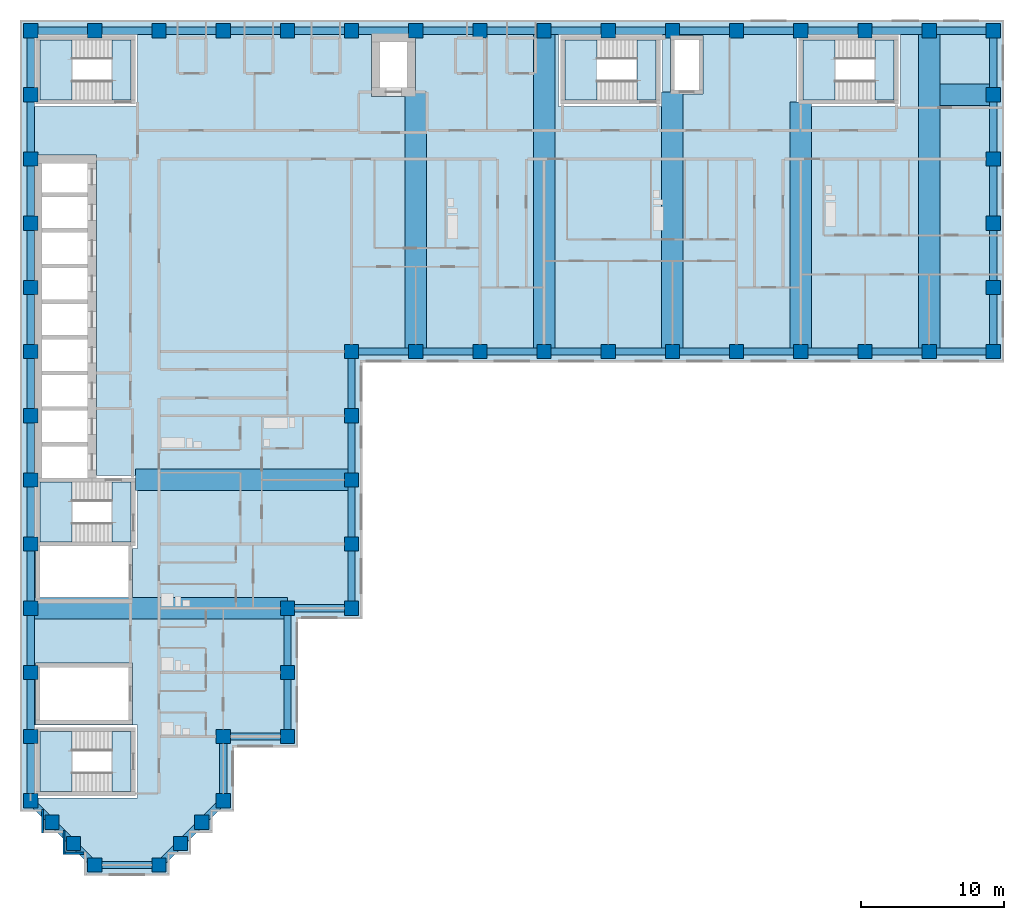
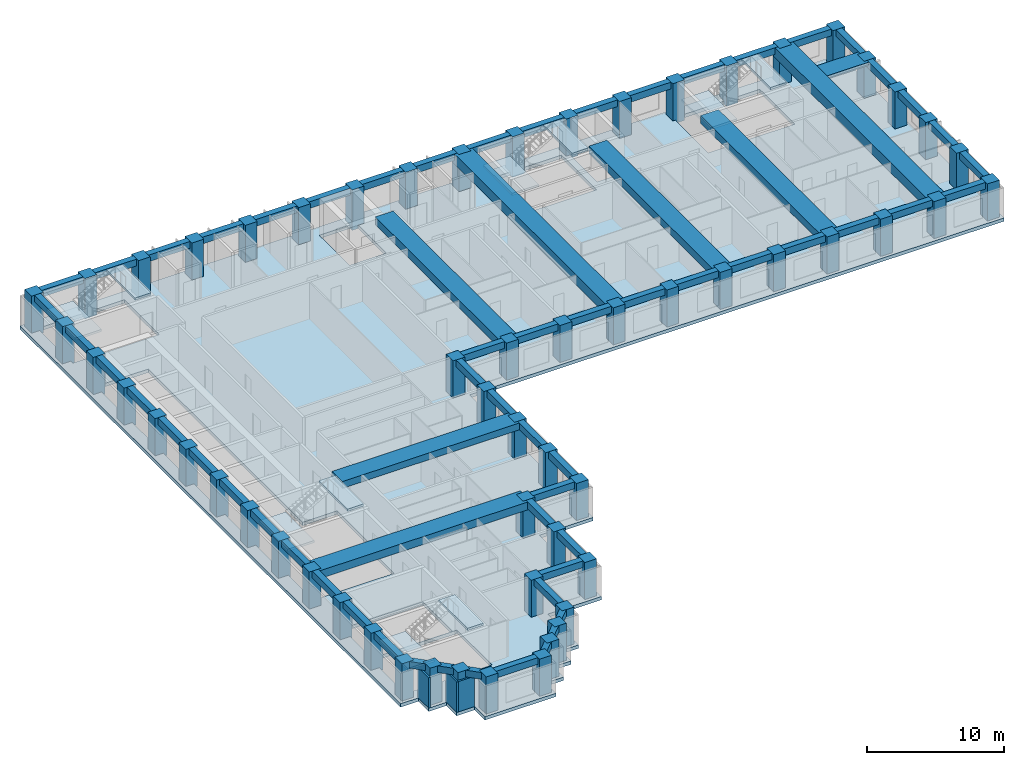
# One storey, part 1 of 12: 66 beams, 58 columns, 11 slabs, 3 walls, 5 elements without a shape of their own.
"""IFC4 building model written with IfcOpenShell, lengths in metres."""

from ifc_helpers import new_model, si_unit, direction, frame, frame_2d, origin, origin_2d, place, context, subcontext, project, spatial, polyline, rectangle, outline, extrude, material, layer, layer_set, material_profile, profile_set, type_object, element, aggregate, save


model = new_model("IFC4")

# Units and contexts
model_context = context("Model", 3, precision=1e-05, world=origin(), true_north=direction((0.0, 1.0)))
body_context = subcontext(model_context, "Body", "Model", "MODEL_VIEW")
ifc_project = project(units=[si_unit("LENGTHUNIT", "METRE"), si_unit("AREAUNIT", "SQUARE_METRE"), si_unit("VOLUMEUNIT", "CUBIC_METRE"), si_unit("PLANEANGLEUNIT", "RADIAN"), si_unit("MASSUNIT", "GRAM", prefix="KILO")], contexts=[model_context])

# Site, building, storey
site_placement = place(None, origin())
site = spatial("IfcSite", under=ifc_project, at=site_placement, CompositionType="ELEMENT")
building_placement = place(site_placement, origin())
building = spatial("IfcBuilding", under=site, at=building_placement, Name="Firuza Court", CompositionType="ELEMENT")
storey_placement = place(building_placement, frame((0.0, 0.0, 152.0)))
storey = spatial("IfcBuildingStorey", under=building, at=storey_placement, Name="L38", CompositionType="ELEMENT", Elevation=152.0)

# Columns
ifc_material_1 = material(Name="Concrete C60/75", Category="concrete")
ifc_material_profile_1 = material_profile(ifc_material_1, rectangle(XDim=1.0, YDim=1.0, at=origin_2d()), Name="RC 1000x1000")
ifc_profile_set_1 = profile_set([ifc_material_profile_1], Name="Concrete C60/75")
column_type = type_object("IfcColumnType", Name="Tube column RC 1000x1000 C60/75", PredefinedType="COLUMN", material=ifc_profile_set_1)
for number, where, z_axis, x_axis, name in (
    (1, (4.5, 0.0, -0.300048828125), (0.0, 0.0, 1.0), (1.0, 0.0, 0.0), "Column C-2D L38"),
    (2, (9.0, 0.0, -0.300048828125), (0.0, 0.0, 1.0), (1.0, 0.0, 0.0), "Column C-3D L38"),
    (3, (3.0, 1.5, -0.300048828125), (0.0, 0.0, 1.0), (1.0, 0.0, 0.0), "Column C-SA1 L38"),
    (4, (10.5, 1.5, -0.300048828125), (0.0, 0.0, 1.0), (1.0, 0.0, 0.0), "Column C-SA2 L38"),
    (5, (1.5, 3.0, -0.300048828125), (0.0, 0.0, 1.0), (1.0, 0.0, 0.0), "Column C-SA3 L38"),
    (6, (12.0, 3.0, -0.300048828125), (0.0, 0.0, 1.0), (1.0, 0.0, 0.0), "Column C-SA4 L38"),
    (7, (0.0, 4.5, -0.300048828125), (0.0, 0.0, 1.0), (1.0, 0.0, 0.0), "Column C-1E L38"),
    (8, (13.5, 4.5, -0.300048828125), (0.0, 0.0, 1.0), (1.0, 0.0, 0.0), "Column C-4E L38"),
    (9, (0.0, 9.0, -0.300048828125), (0.0, 0.0, 1.0), (1.0, 0.0, 0.0), "Column C-1F L38"),
    (10, (13.5, 9.0, -0.300048828125), (0.0, 0.0, 1.0), (1.0, 0.0, 0.0), "Column C-4F L38"),
    (11, (18.0, 9.0, -0.300048828125), (0.0, 0.0, 1.0), (1.0, 0.0, 0.0), "Column C-5F L38"),
    (12, (0.0, 13.5, -0.300048828125), (0.0, 0.0, 1.0), (1.0, 0.0, 0.0), "Column C-1G L38"),
    (13, (18.0, 13.5, -0.300048828125), (0.0, 0.0, 1.0), (1.0, 0.0, 0.0), "Column C-5G L38"),
    (14, (0.0, 18.0, -0.300048828125), (0.0, 0.0, 1.0), (1.0, 0.0, 0.0), "Column C-1H L38"),
    (15, (18.0, 18.0, -0.300048828125), (0.0, 0.0, 1.0), (1.0, 0.0, 0.0), "Column C-5H L38"),
    (16, (22.5, 18.0, -0.300048828125), (0.0, 0.0, 1.0), (1.0, 0.0, 0.0), "Column C-6H L38"),
    (17, (0.0, 22.5, -0.300048828125), (0.0, 0.0, 1.0), (1.0, 0.0, 0.0), "Column C-1J L38"),
    (18, (22.5, 22.5, -0.300048828125), (0.0, 0.0, 1.0), (1.0, 0.0, 0.0), "Column C-6J L38"),
    (19, (0.0, 27.0, -0.300048828125), (0.0, 0.0, 1.0), (1.0, 0.0, 0.0), "Column C-1K L38"),
    (20, (22.5, 27.0, -0.300048828125), (0.0, 0.0, 1.0), (1.0, 0.0, 0.0), "Column C-6K L38"),
    (21, (0.0, 31.5, -0.300048828125), (0.0, 0.0, 1.0), (1.0, 0.0, 0.0), "Column C-1L L38"),
    (22, (22.5, 31.5, -0.300048828125), (0.0, 0.0, 1.0), (1.0, 0.0, 0.0), "Column C-6L L38"),
    (23, (0.0, 36.0, -0.300048828125), (0.0, 0.0, 1.0), (1.0, 0.0, 0.0), "Column C-1M L38"),
    (24, (22.5, 36.0, -0.300048828125), (0.0, 0.0, 1.0), (1.0, 0.0, 0.0), "Column C-6M L38"),
    (25, (27.0, 36.0, -0.300048828125), (0.0, 0.0, 1.0), (1.0, 0.0, 0.0), "Column C-7M L38"),
    (26, (31.5, 36.0, -0.300048828125), (0.0, 0.0, 1.0), (1.0, 0.0, 0.0), "Column C-8M L38"),
    (27, (36.0, 36.0, -0.300048828125), (0.0, 0.0, 1.0), (1.0, 0.0, 0.0), "Column C-9M L38"),
    (28, (40.5, 36.0, -0.300048828125), (0.0, 0.0, 1.0), (1.0, 0.0, 0.0), "Column C-10M L38"),
    (29, (45.0, 36.0, -0.300048828125), (0.0, 0.0, 1.0), (1.0, 0.0, 0.0), "Column C-11M L38"),
    (30, (49.5, 36.0, -0.300048828125), (0.0, 0.0, 1.0), (1.0, 0.0, 0.0), "Column C-12M L38"),
    (31, (54.0, 36.0, -0.300048828125), (0.0, 0.0, 1.0), (1.0, 0.0, 0.0), "Column C-13M L38"),
    (32, (58.5, 36.0, -0.300048828125), (0.0, 0.0, 1.0), (1.0, 0.0, 0.0), "Column C-14M L38"),
    (33, (63.0, 36.0, -0.300048828125), (0.0, 0.0, 1.0), (1.0, 0.0, 0.0), "Column C-15M L38"),
    (34, (67.5, 36.0, -0.300048828125), (0.0, 0.0, 1.0), (1.0, 0.0, 0.0), "Column C-16M L38"),
    (35, (0.0, 40.5, -0.300048828125), (0.0, 0.0, 1.0), (1.0, 0.0, 0.0), "Column C-1N L38"),
    (36, (67.5, 40.5, -0.300048828125), (0.0, 0.0, 1.0), (1.0, 0.0, 0.0), "Column C-16N L38"),
    (37, (0.0, 45.0, -0.300048828125), (0.0, 0.0, 1.0), (1.0, 0.0, 0.0), "Column C-1P L38"),
    (38, (67.5, 45.0, -0.300048828125), (0.0, 0.0, 1.0), (1.0, 0.0, 0.0), "Column C-16P L38"),
    (39, (0.0, 49.5, -0.300048828125), (0.0, 0.0, 1.0), (1.0, 0.0, 0.0), "Column C-1Q L38"),
    (40, (67.5, 49.5, -0.300048828125), (0.0, 0.0, 1.0), (1.0, 0.0, 0.0), "Column C-16Q L38"),
    (41, (0.0, 54.0, -0.300048828125), (0.0, 0.0, 1.0), (1.0, 0.0, 0.0), "Column C-1R L38"),
    (42, (67.5, 54.0, -0.300048828125), (0.0, 0.0, 1.0), (1.0, 0.0, 0.0), "Column C-16R L38"),
    (43, (0.0, 58.5, -0.300048828125), (0.0, 0.0, 1.0), (1.0, 0.0, 0.0), "Column C-1S L38"),
    (44, (4.5, 58.5, -0.300048828125), (0.0, 0.0, 1.0), (1.0, 0.0, 0.0), "Column C-2S L38"),
    (45, (9.0, 58.5, -0.300048828125), (0.0, 0.0, 1.0), (1.0, 0.0, 0.0), "Column C-3S L38"),
    (46, (13.5, 58.5, -0.300048828125), (0.0, 0.0, 1.0), (1.0, 0.0, 0.0), "Column C-4S L38"),
    (47, (18.0, 58.5, -0.300048828125), (0.0, 0.0, 1.0), (1.0, 0.0, 0.0), "Column C-5S L38"),
    (48, (22.5, 58.5, -0.300048828125), (0.0, 0.0, 1.0), (1.0, 0.0, 0.0), "Column C-6S L38"),
    (49, (27.0, 58.5, -0.300048828125), (0.0, 0.0, 1.0), (1.0, 0.0, 0.0), "Column C-7S L38"),
    (50, (31.5, 58.5, -0.300048828125), (0.0, 0.0, 1.0), (1.0, 0.0, 0.0), "Column C-8S L38"),
    (51, (36.0, 58.5, -0.300048828125), (0.0, 0.0, 1.0), (1.0, 0.0, 0.0), "Column C-9S L38"),
    (52, (40.5, 58.5, -0.300048828125), (0.0, 0.0, 1.0), (1.0, 0.0, 0.0), "Column C-10S L38"),
    (53, (45.0, 58.5, -0.300048828125), (0.0, 0.0, 1.0), (1.0, 0.0, 0.0), "Column C-11S L38"),
    (54, (49.5, 58.5, -0.300048828125), (0.0, 0.0, 1.0), (1.0, 0.0, 0.0), "Column C-12S L38"),
    (55, (54.0, 58.5, -0.300048828125), (0.0, 0.0, 1.0), (1.0, 0.0, 0.0), "Column C-13S L38"),
    (56, (58.5, 58.5, -0.300048828125), (0.0, 0.0, 1.0), (1.0, 0.0, 0.0), "Column C-14S L38"),
    (57, (63.0, 58.5, -0.300048828125), (0.0, 0.0, 1.0), (1.0, 0.0, 0.0), "Column C-15S L38"),
    (58, (67.5, 58.5, -0.300048828125), (0.0, 0.0, 1.0), (1.0, 0.0, 0.0), "Column C-16S L38"),
):
    element("IfcColumn", number, at=place(storey_placement, frame(where, z_axis=z_axis, x_axis=x_axis)), inside=storey, type_object=column_type, Name=name, PredefinedType="COLUMN", context=body_context, shape_type="SweptSolid", body=[
        extrude(rectangle(XDim=1.0, YDim=1.0, at=origin_2d()), origin(), (0.0, 0.0, 1.0), 3.60009765625),
    ])

# Beams
ifc_material_2 = material(Name="Concrete C40/50", Category="concrete")
ifc_material_profile_2 = material_profile(ifc_material_2, rectangle(XDim=1.5, YDim=0.300048828125, at=origin_2d()), Name="RC 1500x300")
ifc_profile_set_2 = profile_set([ifc_material_profile_2], Name="Concrete C40/50")
beam_type_1 = type_object("IfcBeamType", Name="Band beam RC 1500x300 C40/50", PredefinedType="BEAM", material=ifc_profile_set_2)
beam_1_placement = place(storey_placement, frame((67.5, 54.0, 3.14990234375), z_axis=(-1.0, 0.0, 0.0), x_axis=(0.0, -1.0, 0.0)))
element("IfcBeam", 59, at=beam_1_placement, inside=storey, type_object=beam_type_1, Name="Band beam FB6 level L39", PredefinedType="BEAM", context=body_context, shape_type="SweptSolid", body=[
    extrude(rectangle(XDim=1.5, YDim=0.300048828125, at=origin_2d()), origin(), (0.0, 0.0, 1.0), 3.75),
])
ifc_material_3 = material(Name="Concrete C40/50", Category="concrete")
ifc_material_profile_3 = material_profile(ifc_material_3, rectangle(XDim=1.5, YDim=0.60009765625, at=origin_2d()), Name="RC 1500x600")
ifc_profile_set_3 = profile_set([ifc_material_profile_3], Name="Concrete C40/50")
beam_type_2 = type_object("IfcBeamType", Name="Band beam RC 1500x600 C40/50", PredefinedType="BEAM", material=ifc_profile_set_3)
beam_2_placement = place(storey_placement, frame((22.5, 27.0, 3.0), z_axis=(-1.0, 0.0, 0.0), x_axis=(0.0, -1.0, 0.0)))
element("IfcBeam", 60, at=beam_2_placement, inside=storey, type_object=beam_type_2, Name="Band beam FB3 level L39", PredefinedType="BEAM", context=body_context, shape_type="SweptSolid", body=[
    extrude(rectangle(XDim=1.5, YDim=0.60009765625, at=origin_2d()), origin(), (0.0, 0.0, 1.0), 15.14990234375),
])
ifc_material_4 = material(Name="Concrete C40/50", Category="concrete")
ifc_material_profile_4 = material_profile(ifc_material_4, rectangle(XDim=1.5, YDim=0.699951171875, at=origin_2d()), Name="RC 1500x700")
ifc_profile_set_4 = profile_set([ifc_material_profile_4], Name="Concrete C40/50")
beam_type_3 = type_object("IfcBeamType", Name="Band beam RC 1500x700 C40/50", PredefinedType="BEAM", material=ifc_profile_set_4)
beam_3_placement = place(storey_placement, frame((0.0, 18.0, 2.949951171875), z_axis=(1.0, 0.0, 0.0), x_axis=(0.0, 1.0, 0.0)))
element("IfcBeam", 61, at=beam_3_placement, inside=storey, type_object=beam_type_3, Name="Band beam FB1 level L39", PredefinedType="BEAM", context=body_context, shape_type="SweptSolid", body=[
    extrude(rectangle(XDim=1.5, YDim=0.699951171875, at=origin_2d()), origin(), (0.0, 0.0, 1.0), 18.0),
])
for number, where, z_axis, x_axis, name in (
    (62, (27.0, 36.0, 2.949951171875), (0.0, 1.0, 0.0), (-1.0, 0.0, 0.0), "Band beam FB1 level L39"),
    (63, (45.0, 36.0, 2.949951171875), (0.0, 1.0, 0.0), (-1.0, 0.0, 0.0), "Band beam FB1 level L39"),
):
    element("IfcBeam", number, at=place(storey_placement, frame(where, z_axis=z_axis, x_axis=x_axis)), inside=storey, type_object=beam_type_3, Name=name, PredefinedType="BEAM", context=body_context, shape_type="SweptSolid", body=[
        extrude(rectangle(XDim=1.5, YDim=0.699951171875, at=origin_2d()), origin(), (0.0, 0.0, 1.0), 18.199951171875),
    ])
beam_4_placement = place(storey_placement, frame((54.0, 36.0, 2.949951171875), z_axis=(0.0, 1.0, 0.0), x_axis=(-1.0, 0.0, 0.0)))
element("IfcBeam", 64, at=beam_4_placement, inside=storey, type_object=beam_type_3, Name="Band beam FB1 level L39", PredefinedType="BEAM", context=body_context, shape_type="SweptSolid", body=[
    extrude(rectangle(XDim=1.5, YDim=0.699951171875, at=origin_2d()), origin(), (0.0, 0.0, 1.0), 17.5),
])
ifc_material_5 = material(Name="Concrete C40/50", Category="concrete")
ifc_material_profile_5 = material_profile(ifc_material_5, rectangle(XDim=1.5, YDim=0.89990234375, at=origin_2d()), Name="RC 1500x900")
ifc_profile_set_5 = profile_set([ifc_material_profile_5], Name="Concrete C40/50")
beam_type_4 = type_object("IfcBeamType", Name="Band beam RC 1500x900 C40/50", PredefinedType="BEAM", material=ifc_profile_set_5)
for number, where, z_axis, x_axis, name in (
    (65, (36.0, 36.0, 2.85009765625), (0.0, 1.0, 0.0), (-1.0, 0.0, 0.0), "Band beam FB2 level L39"),
    (66, (63.0, 36.0, 2.85009765625), (0.0, 1.0, 0.0), (-1.0, 0.0, 0.0), "Band beam FB2 level L39"),
):
    element("IfcBeam", number, at=place(storey_placement, frame(where, z_axis=z_axis, x_axis=x_axis)), inside=storey, type_object=beam_type_4, Name=name, PredefinedType="BEAM", context=body_context, shape_type="SweptSolid", body=[
        extrude(rectangle(XDim=1.5, YDim=0.89990234375, at=origin_2d()), origin(), (0.0, 0.0, 1.0), 22.5),
    ])
ifc_material_6 = material(Name="Concrete C40/50", Category="concrete")
ifc_material_profile_6 = material_profile(ifc_material_6, rectangle(XDim=0.5, YDim=0.60009765625, at=origin_2d()), Name="RC 500x600")
ifc_profile_set_6 = profile_set([ifc_material_profile_6], Name="Concrete C40/50")
beam_type_5 = type_object("IfcBeamType", Name="Spandrel beam RC 500x600 C40/50", PredefinedType="BEAM", material=ifc_profile_set_6)
beam_5_placement = place(storey_placement, frame((0.0, 4.5, 3.0), z_axis=(0.707106781187, -0.707106781187, 0.0), x_axis=(0.707106781187, 0.707106781187, 0.0)))
element("IfcBeam", 67, at=beam_5_placement, inside=storey, type_object=beam_type_5, Name="Spandrel beam SP13 level L39", PredefinedType="BEAM", context=body_context, shape_type="SweptSolid", body=[
    extrude(rectangle(XDim=0.5, YDim=0.60009765625, at=origin_2d()), origin(), (0.0, 0.0, 1.0), 2.121337890625),
])
for number, where, z_axis, x_axis, name in (
    (68, (0.0, 9.0, 3.0), (0.0, -1.0, 0.0), (1.0, 0.0, 0.0), "Spandrel beam SP13 level L39"),
    (69, (0.0, 13.5, 3.0), (0.0, -1.0, 0.0), (1.0, 0.0, 0.0), "Spandrel beam SP13 level L39"),
    (70, (0.0, 18.0, 3.0), (0.0, -1.0, 0.0), (1.0, 0.0, 0.0), "Spandrel beam SP13 level L39"),
    (71, (0.0, 22.5, 3.0), (0.0, -1.0, 0.0), (1.0, 0.0, 0.0), "Spandrel beam SP13 level L39"),
    (72, (0.0, 27.0, 3.0), (0.0, -1.0, 0.0), (1.0, 0.0, 0.0), "Spandrel beam SP13 level L39"),
    (73, (0.0, 31.5, 3.0), (0.0, -1.0, 0.0), (1.0, 0.0, 0.0), "Spandrel beam SP13 level L39"),
    (74, (0.0, 36.0, 3.0), (0.0, -1.0, 0.0), (1.0, 0.0, 0.0), "Spandrel beam SP13 level L39"),
    (75, (0.0, 40.5, 3.0), (0.0, -1.0, 0.0), (1.0, 0.0, 0.0), "Spandrel beam SP13 level L39"),
    (76, (0.0, 45.0, 3.0), (0.0, -1.0, 0.0), (1.0, 0.0, 0.0), "Spandrel beam SP13 level L39"),
    (77, (0.0, 49.5, 3.0), (0.0, -1.0, 0.0), (1.0, 0.0, 0.0), "Spandrel beam SP13 level L39"),
    (78, (0.0, 54.0, 3.0), (0.0, -1.0, 0.0), (1.0, 0.0, 0.0), "Spandrel beam SP13 level L39"),
    (79, (0.0, 58.5, 3.0), (0.0, -1.0, 0.0), (1.0, 0.0, 0.0), "Spandrel beam SP13 level L39"),
):
    element("IfcBeam", number, at=place(storey_placement, frame(where, z_axis=z_axis, x_axis=x_axis)), inside=storey, type_object=beam_type_5, Name=name, PredefinedType="BEAM", context=body_context, shape_type="SweptSolid", body=[
        extrude(rectangle(XDim=0.5, YDim=0.60009765625, at=origin_2d()), origin(), (0.0, 0.0, 1.0), 4.5),
    ])
for number, where, z_axis, x_axis, name in (
    (80, (1.5, 3.0, 3.0), (0.707106781187, -0.707106781187, 0.0), (0.707106781187, 0.707106781187, 0.0), "Spandrel beam SP13 level L39"),
    (81, (3.0, 1.5, 3.0), (0.707106781187, -0.707106781187, 0.0), (0.707106781187, 0.707106781187, 0.0), "Spandrel beam SP13 level L39"),
):
    element("IfcBeam", number, at=place(storey_placement, frame(where, z_axis=z_axis, x_axis=x_axis)), inside=storey, type_object=beam_type_5, Name=name, PredefinedType="BEAM", context=body_context, shape_type="SweptSolid", body=[
        extrude(rectangle(XDim=0.5, YDim=0.60009765625, at=origin_2d()), origin(), (0.0, 0.0, 1.0), 2.121337890625),
    ])
for number, where, z_axis, x_axis, name in (
    (82, (4.5, 0.0, 3.0), (1.0, 0.0, 0.0), (0.0, 1.0, 0.0), "Spandrel beam SP13 level L39"),
    (83, (4.5, 58.5, 3.0), (-1.0, 0.0, 0.0), (0.0, -1.0, 0.0), "Spandrel beam SP13 level L39"),
):
    element("IfcBeam", number, at=place(storey_placement, frame(where, z_axis=z_axis, x_axis=x_axis)), inside=storey, type_object=beam_type_5, Name=name, PredefinedType="BEAM", context=body_context, shape_type="SweptSolid", body=[
        extrude(rectangle(XDim=0.5, YDim=0.60009765625, at=origin_2d()), origin(), (0.0, 0.0, 1.0), 4.5),
    ])
beam_6_placement = place(storey_placement, frame((9.0, 0.0, 3.0), z_axis=(0.707106781187, 0.707106781187, 0.0), x_axis=(-0.707106781187, 0.707106781187, 0.0)))
element("IfcBeam", 84, at=beam_6_placement, inside=storey, type_object=beam_type_5, Name="Spandrel beam SP13 level L39", PredefinedType="BEAM", context=body_context, shape_type="SweptSolid", body=[
    extrude(rectangle(XDim=0.5, YDim=0.60009765625, at=origin_2d()), origin(), (0.0, 0.0, 1.0), 2.121337890625),
])
beam_7_placement = place(storey_placement, frame((9.0, 58.5, 3.0), z_axis=(-1.0, 0.0, 0.0), x_axis=(0.0, -1.0, 0.0)))
element("IfcBeam", 85, at=beam_7_placement, inside=storey, type_object=beam_type_5, Name="Spandrel beam SP13 level L39", PredefinedType="BEAM", context=body_context, shape_type="SweptSolid", body=[
    extrude(rectangle(XDim=0.5, YDim=0.60009765625, at=origin_2d()), origin(), (0.0, 0.0, 1.0), 4.5),
])
for number, where, z_axis, x_axis, name in (
    (86, (10.5, 1.5, 3.0), (0.707106781187, 0.707106781187, 0.0), (-0.707106781187, 0.707106781187, 0.0), "Spandrel beam SP13 level L39"),
    (87, (12.0, 3.0, 3.0), (0.707106781187, 0.707106781187, 0.0), (-0.707106781187, 0.707106781187, 0.0), "Spandrel beam SP13 level L39"),
):
    element("IfcBeam", number, at=place(storey_placement, frame(where, z_axis=z_axis, x_axis=x_axis)), inside=storey, type_object=beam_type_5, Name=name, PredefinedType="BEAM", context=body_context, shape_type="SweptSolid", body=[
        extrude(rectangle(XDim=0.5, YDim=0.60009765625, at=origin_2d()), origin(), (0.0, 0.0, 1.0), 2.121337890625),
    ])
for number, where, z_axis, x_axis, name in (
    (88, (13.5, 4.5, 3.0), (0.0, 1.0, 0.0), (-1.0, 0.0, 0.0), "Spandrel beam SP13 level L39"),
    (89, (13.5, 9.0, 3.0), (1.0, 0.0, 0.0), (0.0, 1.0, 0.0), "Spandrel beam SP13 level L39"),
    (90, (13.5, 58.5, 3.0), (-1.0, 0.0, 0.0), (0.0, -1.0, 0.0), "Spandrel beam SP13 level L39"),
    (91, (18.0, 9.0, 3.0), (0.0, 1.0, 0.0), (-1.0, 0.0, 0.0), "Spandrel beam SP13 level L39"),
    (92, (18.0, 13.5, 3.0), (0.0, 1.0, 0.0), (-1.0, 0.0, 0.0), "Spandrel beam SP13 level L39"),
    (93, (18.0, 18.0, 3.0), (1.0, 0.0, 0.0), (0.0, 1.0, 0.0), "Spandrel beam SP13 level L39"),
    (94, (18.0, 58.5, 3.0), (-1.0, 0.0, 0.0), (0.0, -1.0, 0.0), "Spandrel beam SP13 level L39"),
    (95, (22.5, 18.0, 3.0), (0.0, 1.0, 0.0), (-1.0, 0.0, 0.0), "Spandrel beam SP13 level L39"),
    (96, (22.5, 22.5, 3.0), (0.0, 1.0, 0.0), (-1.0, 0.0, 0.0), "Spandrel beam SP13 level L39"),
    (97, (22.5, 27.0, 3.0), (0.0, 1.0, 0.0), (-1.0, 0.0, 0.0), "Spandrel beam SP13 level L39"),
    (98, (22.5, 31.5, 3.0), (0.0, 1.0, 0.0), (-1.0, 0.0, 0.0), "Spandrel beam SP13 level L39"),
    (99, (22.5, 36.0, 3.0), (1.0, 0.0, 0.0), (0.0, 1.0, 0.0), "Spandrel beam SP13 level L39"),
    (100, (22.5, 58.5, 3.0), (-1.0, 0.0, 0.0), (0.0, -1.0, 0.0), "Spandrel beam SP13 level L39"),
    (101, (27.0, 36.0, 3.0), (1.0, 0.0, 0.0), (0.0, 1.0, 0.0), "Spandrel beam SP13 level L39"),
    (102, (27.0, 58.5, 3.0), (-1.0, 0.0, 0.0), (0.0, -1.0, 0.0), "Spandrel beam SP13 level L39"),
    (103, (31.5, 36.0, 3.0), (1.0, 0.0, 0.0), (0.0, 1.0, 0.0), "Spandrel beam SP13 level L39"),
    (104, (31.5, 58.5, 3.0), (-1.0, 0.0, 0.0), (0.0, -1.0, 0.0), "Spandrel beam SP13 level L39"),
    (105, (36.0, 36.0, 3.0), (1.0, 0.0, 0.0), (0.0, 1.0, 0.0), "Spandrel beam SP13 level L39"),
    (106, (36.0, 58.5, 3.0), (-1.0, 0.0, 0.0), (0.0, -1.0, 0.0), "Spandrel beam SP13 level L39"),
    (107, (40.5, 36.0, 3.0), (1.0, 0.0, 0.0), (0.0, 1.0, 0.0), "Spandrel beam SP13 level L39"),
    (108, (40.5, 58.5, 3.0), (-1.0, 0.0, 0.0), (0.0, -1.0, 0.0), "Spandrel beam SP13 level L39"),
    (109, (45.0, 36.0, 3.0), (1.0, 0.0, 0.0), (0.0, 1.0, 0.0), "Spandrel beam SP13 level L39"),
    (110, (45.0, 58.5, 3.0), (-1.0, 0.0, 0.0), (0.0, -1.0, 0.0), "Spandrel beam SP13 level L39"),
    (111, (49.5, 36.0, 3.0), (1.0, 0.0, 0.0), (0.0, 1.0, 0.0), "Spandrel beam SP13 level L39"),
    (112, (49.5, 58.5, 3.0), (-1.0, 0.0, 0.0), (0.0, -1.0, 0.0), "Spandrel beam SP13 level L39"),
    (113, (54.0, 36.0, 3.0), (1.0, 0.0, 0.0), (0.0, 1.0, 0.0), "Spandrel beam SP13 level L39"),
    (114, (54.0, 58.5, 3.0), (-1.0, 0.0, 0.0), (0.0, -1.0, 0.0), "Spandrel beam SP13 level L39"),
    (115, (58.5, 36.0, 3.0), (1.0, 0.0, 0.0), (0.0, 1.0, 0.0), "Spandrel beam SP13 level L39"),
    (116, (58.5, 58.5, 3.0), (-1.0, 0.0, 0.0), (0.0, -1.0, 0.0), "Spandrel beam SP13 level L39"),
    (117, (63.0, 36.0, 3.0), (1.0, 0.0, 0.0), (0.0, 1.0, 0.0), "Spandrel beam SP13 level L39"),
    (118, (63.0, 58.5, 3.0), (-1.0, 0.0, 0.0), (0.0, -1.0, 0.0), "Spandrel beam SP13 level L39"),
    (119, (67.5, 36.0, 3.0), (0.0, 1.0, 0.0), (-1.0, 0.0, 0.0), "Spandrel beam SP13 level L39"),
    (120, (67.5, 40.5, 3.0), (0.0, 1.0, 0.0), (-1.0, 0.0, 0.0), "Spandrel beam SP13 level L39"),
    (121, (67.5, 45.0, 3.0), (0.0, 1.0, 0.0), (-1.0, 0.0, 0.0), "Spandrel beam SP13 level L39"),
    (122, (67.5, 49.5, 3.0), (0.0, 1.0, 0.0), (-1.0, 0.0, 0.0), "Spandrel beam SP13 level L39"),
    (123, (67.5, 54.0, 3.0), (0.0, 1.0, 0.0), (-1.0, 0.0, 0.0), "Spandrel beam SP13 level L39"),
    (124, (67.5, 58.5, 3.0), (-1.0, 0.0, 0.0), (0.0, -1.0, 0.0), "Spandrel beam SP13 level L39"),
):
    element("IfcBeam", number, at=place(storey_placement, frame(where, z_axis=z_axis, x_axis=x_axis)), inside=storey, type_object=beam_type_5, Name=name, PredefinedType="BEAM", context=body_context, shape_type="SweptSolid", body=[
        extrude(rectangle(XDim=0.5, YDim=0.60009765625, at=origin_2d()), origin(), (0.0, 0.0, 1.0), 4.5),
    ])

# Slab
ifc_material_7 = material(Name="Concrete C40/50", Category="concrete")
ifc_layer_1 = layer(ifc_material_7, 0.300048828125)
ifc_layer_set_1 = layer_set([ifc_layer_1], Name="Concrete C40/50")
slab_type_1 = type_object("IfcSlabType", Name="Floor slab 300 C40/50", PredefinedType="FLOOR", material=ifc_layer_set_1)
slab_1_placement = place(storey_placement, frame((0.0, 0.0, -0.300048828125)))
element("IfcSlab", 125, at=slab_1_placement, inside=storey, type_object=slab_type_1, Name="Floor slab L38", PredefinedType="FLOOR", context=body_context, shape_type="SweptSolid", body=[
    extrude(outline(polyline([(3.75, -0.75), (3.75, 0.75), (2.25, 0.75), (2.25, 2.25), (0.75, 2.25), (0.75, 3.75), (-0.75, 3.75), (-0.75, 59.25), (68.25, 59.25), (68.25, 35.25), (23.25, 35.25), (23.25, 17.25), (18.75, 17.25), (18.75, 8.25), (14.25, 8.25), (14.25, 3.75), (12.75, 3.75), (12.75, 2.25), (11.25, 2.25), (11.25, 0.75), (9.75, 0.75), (9.75, -0.75), (3.75, -0.75)]), holes=[polyline([(0.199951171875, 29.800048828125), (0.199951171875, 29.199951171875), (0.199951171875, 27.300048828125), (0.199951171875, 26.699951171875), (0.199951171875, 22.199951171875), (0.35009765625, 22.199951171875), (0.35009765625, 18.35009765625), (7.14990234375, 18.35009765625), (7.14990234375, 22.199951171875), (7.5, 22.199951171875), (7.5, 27.300048828125), (4.60009765625, 27.300048828125), (4.60009765625, 29.199951171875), (4.60009765625, 29.800048828125), (4.60009765625, 31.699951171875), (4.60009765625, 32.300048828125), (4.60009765625, 34.199951171875), (4.60009765625, 34.800048828125), (4.60009765625, 36.699951171875), (4.60009765625, 37.300048828125), (4.60009765625, 39.199951171875), (4.60009765625, 39.800048828125), (4.60009765625, 41.699951171875), (4.60009765625, 42.300048828125), (4.60009765625, 44.199951171875), (4.60009765625, 44.800048828125), (4.60009765625, 46.699951171875), (4.60009765625, 47.300048828125), (4.60009765625, 49.800048828125), (0.199951171875, 49.800048828125), (0.199951171875, 47.300048828125), (0.199951171875, 46.699951171875), (0.199951171875, 44.800048828125), (0.199951171875, 44.199951171875), (0.199951171875, 42.300048828125), (0.199951171875, 41.699951171875), (0.199951171875, 39.800048828125), (0.199951171875, 39.199951171875), (0.199951171875, 37.300048828125), (0.199951171875, 36.699951171875), (0.199951171875, 34.800048828125), (0.199951171875, 34.199951171875), (0.199951171875, 32.300048828125), (0.199951171875, 31.699951171875), (0.199951171875, 29.800048828125)]), polyline([(7.5, 9.800048828125), (0.199951171875, 9.800048828125), (0.199951171875, 4.699951171875), (7.5, 4.699951171875), (7.5, 9.800048828125)]), polyline([(7.14990234375, 14.14990234375), (0.35009765625, 14.14990234375), (0.35009765625, 9.85009765625), (7.14990234375, 9.85009765625), (7.14990234375, 14.14990234375)]), polyline([(7.5, 58.300048828125), (0.199951171875, 58.300048828125), (0.199951171875, 53.199951171875), (7.5, 53.199951171875), (7.5, 58.300048828125)]), polyline([(44.300048828125, 58.300048828125), (37.0, 58.300048828125), (37.0, 53.199951171875), (44.300048828125, 53.199951171875), (44.300048828125, 58.300048828125)]), polyline([(61.0, 58.300048828125), (53.699951171875, 58.300048828125), (53.699951171875, 53.199951171875), (61.0, 53.199951171875), (61.0, 58.300048828125)]), polyline([(27.0, 53.89990234375), (27.0, 58.300048828125), (23.89990234375, 58.300048828125), (23.89990234375, 53.89990234375), (27.0, 53.89990234375)]), polyline([(47.14990234375, 54.050048828125), (47.14990234375, 58.14990234375), (44.85009765625, 58.14990234375), (44.85009765625, 54.050048828125), (47.14990234375, 54.050048828125)])]), origin(), (0.0, 0.0, 1.0), 0.300048828125),
])

# Stair, slabs
ifc_material_8 = material(Name="Concrete C40/50 precast", Category="concrete")
stair_type = type_object("IfcStairType", Name="Stair 1350 x 3600 2 flights", PredefinedType="HALF_TURN_STAIR", material=ifc_material_8)
stair_1_placement = place(storey_placement, origin())
stair_1 = element("IfcStair", 126, at=stair_1_placement, inside=storey, type_object=stair_type, Name="Stair 1 L38", PredefinedType="HALF_TURN_STAIR")
ifc_material_9 = material(Name="Concrete C40/50 precast", Category="concrete")
ifc_layer_2 = layer(ifc_material_9, 0.199951171875)
ifc_layer_set_2 = layer_set([ifc_layer_2], Name="Concrete C40/50 precast")
slab_type_2 = type_object("IfcSlabType", Name="Stair landing 200", PredefinedType="LANDING", material=ifc_layer_set_2)
slab_2_placement = place(storey_placement, frame((0.0, 0.0, 1.60009765625)))
slab_2 = element("IfcSlab", 127, at=slab_2_placement, type_object=slab_type_2, Name="S1 landing 1", PredefinedType="LANDING", context=body_context, shape_type="SweptSolid", body=[
    extrude(outline(polyline([(39.699951171875, 53.64990234375), (39.699951171875, 57.85009765625), (37.449951171875, 57.85009765625), (37.449951171875, 53.64990234375), (39.699951171875, 53.64990234375)])), origin(), (0.0, 0.0, 1.0), 0.199951171875),
])
slab_3_placement = place(storey_placement, frame((0.0, 0.0, 3.39990234375)))
slab_3 = element("IfcSlab", 128, at=slab_3_placement, type_object=slab_type_2, Name="S1 landing 2", PredefinedType="LANDING", context=body_context, shape_type="SweptSolid", body=[
    extrude(outline(polyline([(43.85009765625, 53.64990234375), (43.85009765625, 57.85009765625), (42.5, 57.85009765625), (42.5, 53.64990234375), (43.85009765625, 53.64990234375)])), origin(), (0.0, 0.0, 1.0), 0.2001953125),
])
aggregate(stair_1, [slab_2, slab_3])

stair_2_placement = place(storey_placement, origin())
stair_2 = element("IfcStair", 129, at=stair_2_placement, inside=storey, type_object=stair_type, Name="Stair 2 L38", PredefinedType="HALF_TURN_STAIR")
slab_4_placement = place(storey_placement, frame((0.0, 0.0, 1.60009765625)))
slab_4 = element("IfcSlab", 130, at=slab_4_placement, type_object=slab_type_2, Name="S2 landing 1", PredefinedType="LANDING", context=body_context, shape_type="SweptSolid", body=[
    extrude(outline(polyline([(2.89990234375, 22.64990234375), (2.89990234375, 26.85009765625), (0.64990234375, 26.85009765625), (0.64990234375, 22.64990234375), (2.89990234375, 22.64990234375)])), origin(), (0.0, 0.0, 1.0), 0.199951171875),
])
slab_5_placement = place(storey_placement, frame((0.0, 0.0, 3.39990234375)))
slab_5 = element("IfcSlab", 131, at=slab_5_placement, type_object=slab_type_2, Name="S2 landing 2", PredefinedType="LANDING", context=body_context, shape_type="SweptSolid", body=[
    extrude(outline(polyline([(7.050048828125, 22.64990234375), (7.050048828125, 26.85009765625), (5.699951171875, 26.85009765625), (5.699951171875, 22.64990234375), (7.050048828125, 22.64990234375)])), origin(), (0.0, 0.0, 1.0), 0.2001953125),
])
aggregate(stair_2, [slab_4, slab_5])

stair_3_placement = place(storey_placement, origin())
stair_3 = element("IfcStair", 132, at=stair_3_placement, inside=storey, type_object=stair_type, Name="Stair 3 L38", PredefinedType="HALF_TURN_STAIR")
slab_6_placement = place(storey_placement, frame((0.0, 0.0, 1.60009765625)))
slab_6 = element("IfcSlab", 133, at=slab_6_placement, type_object=slab_type_2, Name="S3 landing 1", PredefinedType="LANDING", context=body_context, shape_type="SweptSolid", body=[
    extrude(outline(polyline([(2.89990234375, 53.64990234375), (2.89990234375, 57.85009765625), (0.64990234375, 57.85009765625), (0.64990234375, 53.64990234375), (2.89990234375, 53.64990234375)])), origin(), (0.0, 0.0, 1.0), 0.199951171875),
])
slab_7_placement = place(storey_placement, frame((0.0, 0.0, 3.39990234375)))
slab_7 = element("IfcSlab", 134, at=slab_7_placement, type_object=slab_type_2, Name="S3 landing 2", PredefinedType="LANDING", context=body_context, shape_type="SweptSolid", body=[
    extrude(outline(polyline([(7.050048828125, 53.64990234375), (7.050048828125, 57.85009765625), (5.699951171875, 57.85009765625), (5.699951171875, 53.64990234375), (7.050048828125, 53.64990234375)])), origin(), (0.0, 0.0, 1.0), 0.2001953125),
])
aggregate(stair_3, [slab_6, slab_7])

stair_4_placement = place(storey_placement, origin())
stair_4 = element("IfcStair", 135, at=stair_4_placement, inside=storey, type_object=stair_type, Name="Stair 4 L38", PredefinedType="HALF_TURN_STAIR")
slab_8_placement = place(storey_placement, frame((0.0, 0.0, 1.60009765625)))
slab_8 = element("IfcSlab", 136, at=slab_8_placement, type_object=slab_type_2, Name="S4 landing 1", PredefinedType="LANDING", context=body_context, shape_type="SweptSolid", body=[
    extrude(outline(polyline([(56.39990234375, 53.64990234375), (56.39990234375, 57.85009765625), (54.14990234375, 57.85009765625), (54.14990234375, 53.64990234375), (56.39990234375, 53.64990234375)])), origin(), (0.0, 0.0, 1.0), 0.199951171875),
])
slab_9_placement = place(storey_placement, frame((0.0, 0.0, 3.39990234375)))
slab_9 = element("IfcSlab", 137, at=slab_9_placement, type_object=slab_type_2, Name="S4 landing 2", PredefinedType="LANDING", context=body_context, shape_type="SweptSolid", body=[
    extrude(outline(polyline([(60.550048828125, 53.64990234375), (60.550048828125, 57.85009765625), (59.199951171875, 57.85009765625), (59.199951171875, 53.64990234375), (60.550048828125, 53.64990234375)])), origin(), (0.0, 0.0, 1.0), 0.2001953125),
])
aggregate(stair_4, [slab_8, slab_9])

stair_5_placement = place(storey_placement, origin())
stair_5 = element("IfcStair", 138, at=stair_5_placement, inside=storey, type_object=stair_type, Name="Stair 5 L38", PredefinedType="HALF_TURN_STAIR")
slab_10_placement = place(storey_placement, frame((0.0, 0.0, 1.60009765625)))
slab_10 = element("IfcSlab", 139, at=slab_10_placement, type_object=slab_type_2, Name="S5 landing 1", PredefinedType="LANDING", context=body_context, shape_type="SweptSolid", body=[
    extrude(outline(polyline([(2.89990234375, 5.14990234375), (2.89990234375, 9.35009765625), (0.64990234375, 9.35009765625), (0.64990234375, 5.14990234375), (2.89990234375, 5.14990234375)])), origin(), (0.0, 0.0, 1.0), 0.199951171875),
])
slab_11_placement = place(storey_placement, frame((0.0, 0.0, 3.39990234375)))
slab_11 = element("IfcSlab", 140, at=slab_11_placement, type_object=slab_type_2, Name="S5 landing 2", PredefinedType="LANDING", context=body_context, shape_type="SweptSolid", body=[
    extrude(outline(polyline([(7.050048828125, 5.14990234375), (7.050048828125, 9.35009765625), (5.699951171875, 9.35009765625), (5.699951171875, 5.14990234375), (7.050048828125, 5.14990234375)])), origin(), (0.0, 0.0, 1.0), 0.2001953125),
])
aggregate(stair_5, [slab_10, slab_11])

# Walls
ifc_material_10 = material(Name="Ceramic tile", Category="ceramic")
ifc_layer_3 = layer(ifc_material_10, 0.02001953125)
ifc_material_11 = material(Name="Mineral wool insulation", Category="insulation")
ifc_layer_4 = layer(ifc_material_11, 0.050048828125)
ifc_layer_5 = layer(ifc_material_9, 0.080078125)
ifc_layer_set_3 = layer_set([ifc_layer_3, ifc_layer_4, ifc_layer_5], Name="Concrete C40/50 precast")
wall_type = type_object("IfcWallType", Name="Precast cladding wall with turquoise TILE PANEL face 150", PredefinedType="STANDARD", material=ifc_layer_set_3)
for number, where, z_axis, x_axis, name in (
    (141, (0.824951171875, 3.89990234375, 0.0), (0.0, 0.0, 1.0), (0.0, -1.0, 0.0), "Facade wall L38 W"),
    (142, (2.324951171875, 2.39990234375, 0.0), (0.0, 0.0, 1.0), (0.0, -1.0, 0.0), "Facade wall L38 W"),
):
    element("IfcWall", number, at=place(storey_placement, frame(where, z_axis=z_axis, x_axis=x_axis)), inside=storey, type_object=wall_type, Name=name, PredefinedType="STANDARD", context=body_context, shape_type="SweptSolid", body=[
        extrude(rectangle(XDim=1.64990234375, YDim=0.14990234375, at=frame_2d((0.824951171875, 0.0))), origin(), (0.0, 0.0, 1.0), 2.699951171875),
    ])
wall_placement = place(storey_placement, frame((2.39990234375, 0.824951171875, 0.0), z_axis=(0.0, 0.0, 1.0), x_axis=(1.0, 0.0, 0.0)))
element("IfcWall", 143, at=wall_placement, inside=storey, type_object=wall_type, Name="Facade wall L38 S", PredefinedType="STANDARD", context=body_context, shape_type="SweptSolid", body=[
    extrude(rectangle(XDim=1.35009765625, YDim=0.14990234375, at=frame_2d((0.675048828125, 0.0))), origin(), (0.0, 0.0, 1.0), 2.699951171875),
])

save(model, "model.ifc")
